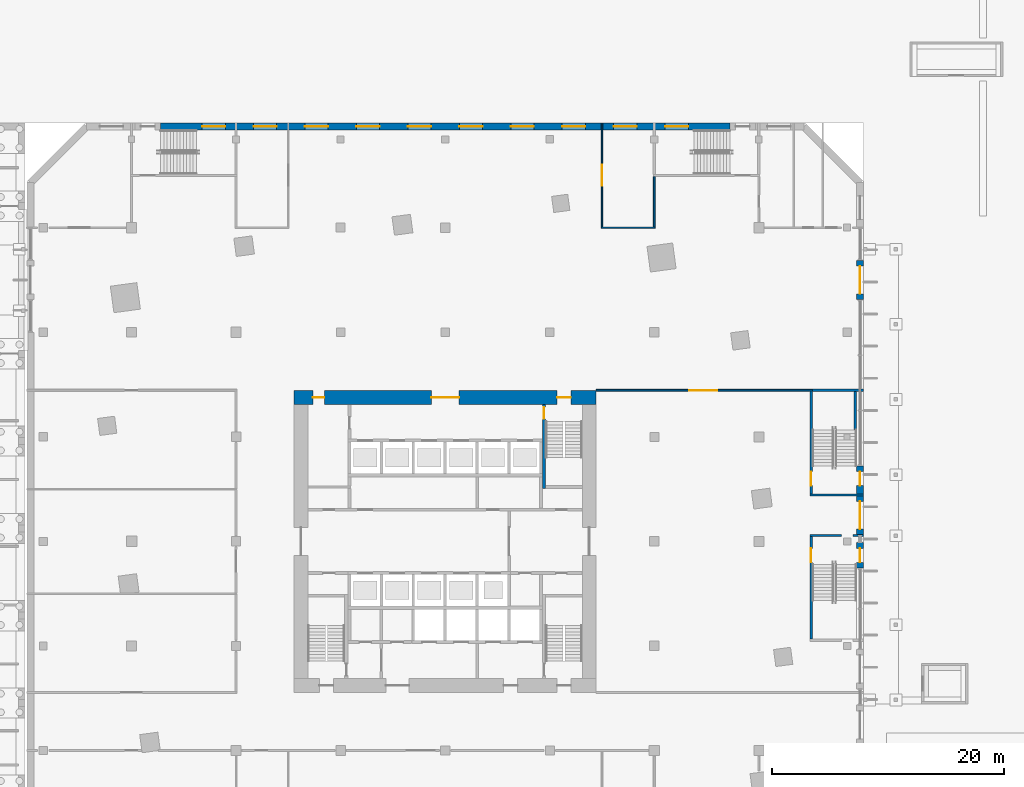
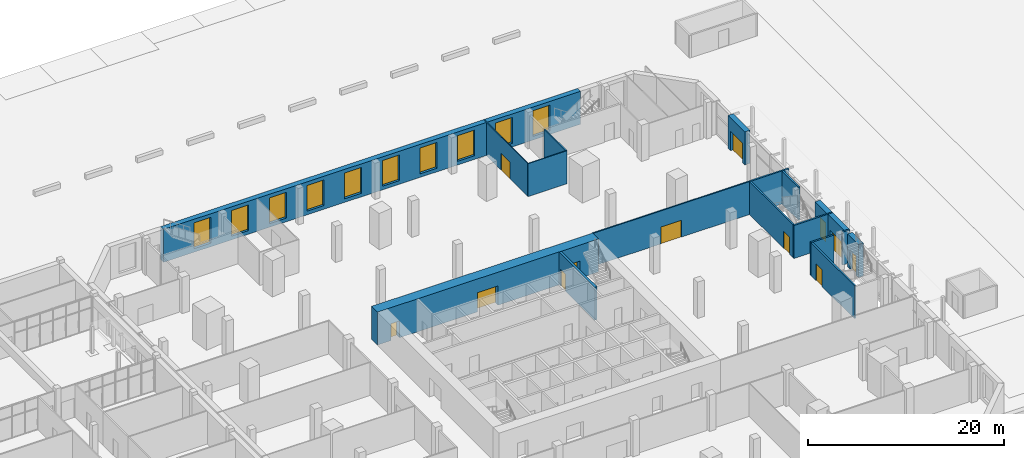
# One storey, part 32 of 42: 17 walls, 12 doors, 10 windows, 22 openings.
"""IFC4 building model written with IfcOpenShell, lengths in metres."""

from ifc_helpers import new_model, si_unit, direction, frame, frame_2d, origin, place, context, subcontext, project, spatial, rectangle, extrude, material, layer, layer_set, type_object, element, fill, save


model = new_model("IFC4")

# Units and contexts
model_context = context("Model", 3, precision=1e-05, world=origin(), true_north=direction((0.0, 1.0)))
body_context = subcontext(model_context, "Body", "Model", "MODEL_VIEW")
ifc_project = project(units=[si_unit("LENGTHUNIT", "METRE"), si_unit("AREAUNIT", "SQUARE_METRE"), si_unit("VOLUMEUNIT", "CUBIC_METRE"), si_unit("PLANEANGLEUNIT", "RADIAN"), si_unit("MASSUNIT", "GRAM", prefix="KILO")], contexts=[model_context])

# Site, building, storey
site_placement = place(None, origin())
site = spatial("IfcSite", under=ifc_project, at=site_placement, CompositionType="ELEMENT")
building_placement = place(site_placement, origin())
building = spatial("IfcBuilding", under=site, at=building_placement, Name="Dilmun Exchange Tower", CompositionType="ELEMENT")
storey_placement = place(building_placement, origin())
storey = spatial("IfcBuildingStorey", under=building, at=storey_placement, Name="L00", CompositionType="ELEMENT", Elevation=0.0)

# Wall, openings, doors
ifc_material_1 = material(Name="Concrete C80/95", Category="concrete")
ifc_layer_1 = layer(ifc_material_1, 1.199951171875)
ifc_layer_set_1 = layer_set([ifc_layer_1], Name="Concrete C80/95")
wall_type_1 = type_object("IfcWallType", Name="Core shear wall 1200 Concrete C80/95", PredefinedType="SHEAR", material=ifc_layer_set_1)
wall_1_placement = place(storey_placement, frame((-13.0, 12.39990234375, 0.0), z_axis=(0.0, 0.0, 1.0), x_axis=(1.0, 0.0, 0.0)))
wall_1 = element("IfcWall", 1, at=wall_1_placement, inside=storey, type_object=wall_type_1, Name="L00 core shear wall N", PredefinedType="SHEAR", context=body_context, shape_type="SweptSolid", body=[
    extrude(rectangle(XDim=26.0, YDim=1.199951171875, at=frame_2d((13.0, 0.0))), origin(), (0.0, 0.0, 1.0), 4.10009765625),
])
opening_1_placement = place(wall_1_placement, frame((11.800048828125, 0.0, 0.0)))
opening_1 = element("IfcOpeningElement", 2, at=opening_1_placement, cuts=wall_1, Name="Opening CD1", PredefinedType="OPENING", context=body_context, shape_type="SweptSolid", body=[
    extrude(rectangle(XDim=2.39990234375, YDim=2.39990234375, at=frame_2d((1.199951171875, 1.199951171875))), frame((0.0, 0.60986328125, 0.0), z_axis=(0.0, -1.0, 0.0), x_axis=(1.0, 0.0, 0.0)), (0.0, 0.0, 1.0), 1.219970703125),
])
opening_2_placement = place(wall_1_placement, frame((22.625, 0.0, 0.0)))
opening_2 = element("IfcOpeningElement", 3, at=opening_2_placement, cuts=wall_1, Name="Opening CD3", PredefinedType="OPENING", context=body_context, shape_type="SweptSolid", body=[
    extrude(rectangle(XDim=1.199951171875, YDim=2.10009765625, at=frame_2d((0.60009765625, 1.050048828125))), frame((0.0, 0.60986328125, 0.0), z_axis=(0.0, -1.0, 0.0), x_axis=(1.0, 0.0, 0.0)), (0.0, 0.0, 1.0), 1.219970703125),
])
opening_3_placement = place(wall_1_placement, frame((1.60009765625, 0.0, 0.0)))
opening_3 = element("IfcOpeningElement", 4, at=opening_3_placement, cuts=wall_1, Name="Opening CD4", PredefinedType="OPENING", context=body_context, shape_type="SweptSolid", body=[
    extrude(rectangle(XDim=1.0, YDim=2.10009765625, at=frame_2d((0.5, 1.050048828125))), frame((0.0, 0.60986328125, 0.0), z_axis=(0.0, -1.0, 0.0), x_axis=(1.0, 0.0, 0.0)), (0.0, 0.0, 1.0), 1.219970703125),
])
ifc_material_2 = material(Name="Fire-rated steel door set", Category="steel")
door_type_1 = type_object("IfcDoorType", Name="Core lobby door 2400x2400", OperationType="DOUBLE_DOOR_DOUBLE_SWING", PredefinedType="DOOR", material=ifc_material_2)
door_1_placement = place(opening_1_placement, origin())
door_1 = element("IfcDoor", 5, at=door_1_placement, inside=storey, type_object=door_type_1, Name="L00 door North lift lobby", OperationType="SINGLE_SWING_LEFT", OverallHeight=2.39990234375, OverallWidth=2.39990234375, PredefinedType="DOOR", context=body_context, shape_type="SweptSolid", body=[
    extrude(rectangle(XDim=2.39990234375, YDim=2.39990234375, at=frame_2d((1.199951171875, 1.199951171875))), frame((0.0, 0.02490234375, 0.0), z_axis=(0.0, -1.0, 0.0), x_axis=(1.0, 0.0, 0.0)), (0.0, 0.0, 1.0), 0.050048828125),
])
fill(opening_1, door_1)
door_type_2 = type_object("IfcDoorType", Name="Core room door 1000x2100", OperationType="SINGLE_SWING_LEFT", PredefinedType="DOOR", material=ifc_material_2)
door_2_placement = place(opening_3_placement, origin())
door_2 = element("IfcDoor", 6, at=door_2_placement, inside=storey, type_object=door_type_2, Name="L00 door North-west core rooms", OperationType="SINGLE_SWING_LEFT", OverallHeight=2.10009765625, OverallWidth=1.0, PredefinedType="DOOR", context=body_context, shape_type="SweptSolid", body=[
    extrude(rectangle(XDim=1.0, YDim=2.10009765625, at=frame_2d((0.5, 1.050048828125))), frame((0.0, 0.02490234375, 0.0), z_axis=(0.0, -1.0, 0.0), x_axis=(1.0, 0.0, 0.0)), (0.0, 0.0, 1.0), 0.050048828125),
])
fill(opening_3, door_2)
door_type_3 = type_object("IfcDoorType", Name="Stair exit door 1200x2100", OperationType="SINGLE_SWING_LEFT", PredefinedType="DOOR", material=ifc_material_2)
door_3_placement = place(opening_2_placement, origin())
door_3 = element("IfcDoor", 7, at=door_3_placement, inside=storey, type_object=door_type_3, Name="L00 door Stair ST1", OperationType="SINGLE_SWING_LEFT", OverallHeight=2.10009765625, OverallWidth=1.199951171875, PredefinedType="DOOR", context=body_context, shape_type="SweptSolid", body=[
    extrude(rectangle(XDim=1.199951171875, YDim=2.10009765625, at=frame_2d((0.60009765625, 1.050048828125))), frame((0.0, 0.02490234375, 0.0), z_axis=(0.0, -1.0, 0.0), x_axis=(1.0, 0.0, 0.0)), (0.0, 0.0, 1.0), 0.050048828125),
])
fill(opening_2, door_3)

# Wall, opening, door
ifc_material_3 = material(Name="Fire partition EI 60 150 gypsum")
ifc_layer_2 = layer(ifc_material_3, 0.14990234375)
ifc_layer_set_2 = layer_set([ifc_layer_2], Name="Fire partition EI 60 150 gypsum")
wall_type_2 = type_object("IfcWallType", Name="Fire partition EI 60 150 gypsum", PredefinedType="PARTITIONING", material=ifc_layer_set_2)
wall_2_placement = place(storey_placement, frame((13.0, 13.0, 0.0), z_axis=(0.0, 0.0, 1.0), x_axis=(1.0, 0.0, 0.0)))
wall_2 = element("IfcWall", 8, at=wall_2_placement, inside=storey, type_object=wall_type_2, Name="L00 partition", PredefinedType="PARTITIONING", context=body_context, shape_type="SweptSolid", body=[
    extrude(rectangle(XDim=18.60009765625, YDim=0.14990234375, at=frame_2d((9.300048828125, 0.0))), origin(), (0.0, 0.0, 1.0), 4.10009765625),
])
opening_4_placement = place(wall_2_placement, frame((8.0, 0.0, 0.0)))
opening_4 = element("IfcOpeningElement", 9, at=opening_4_placement, cuts=wall_2, Name="Opening L00-D014", PredefinedType="OPENING", context=body_context, shape_type="SweptSolid", body=[
    extrude(rectangle(XDim=2.39990234375, YDim=2.10009765625, at=frame_2d((1.199951171875, 1.050048828125))), frame((0.0, 0.0849609375, 0.0), z_axis=(0.0, -1.0, 0.0), x_axis=(1.0, 0.0, 0.0)), (0.0, 0.0, 1.0), 0.169921875),
])
ifc_material_4 = material(Name="Double door 2400 x 2100")
door_type_4 = type_object("IfcDoorType", Name="Double door 2400 x 2100", OperationType="DOUBLE_DOOR_SINGLE_SWING", PredefinedType="DOOR", material=ifc_material_4)
door_4_placement = place(opening_4_placement, origin())
door_4 = element("IfcDoor", 10, at=door_4_placement, inside=storey, type_object=door_type_4, Name="L00 door L00-D014", OperationType="DOUBLE_DOOR_SINGLE_SWING", OverallHeight=2.10009765625, OverallWidth=2.39990234375, PredefinedType="DOOR", context=body_context, shape_type="SweptSolid", body=[
    extrude(rectangle(XDim=2.39990234375, YDim=2.10009765625, at=frame_2d((1.199951171875, 1.050048828125))), frame((0.0, 0.02490234375, 0.0), z_axis=(0.0, -1.0, 0.0), x_axis=(1.0, 0.0, 0.0)), (0.0, 0.0, 1.0), 0.050048828125),
])
fill(opening_4, door_4)

# Walls
wall_3_placement = place(storey_placement, frame((18.0, 27.050048828125, 0.0), z_axis=(0.0, 0.0, 1.0), x_axis=(0.0, 1.0, 0.0)))
element("IfcWall", 11, at=wall_3_placement, inside=storey, type_object=wall_type_2, Name="L00 partition", PredefinedType="PARTITIONING", context=body_context, shape_type="SweptSolid", body=[
    extrude(rectangle(XDim=4.349853515625, YDim=0.14990234375, at=frame_2d((2.1748046875, 0.0))), origin(), (0.0, 0.0, 1.0), 4.10009765625),
])
ifc_material_5 = material(Name="Fire wall EI 120 200 blockwork", Category="masonry")
ifc_layer_3 = layer(ifc_material_5, 0.199951171875)
ifc_layer_set_3 = layer_set([ifc_layer_3], Name="Fire wall EI 120 200 blockwork")
wall_type_3 = type_object("IfcWallType", Name="Fire wall EI 120 200 blockwork", PredefinedType="PARTITIONING", material=ifc_layer_set_3)
wall_4_placement = place(storey_placement, frame((31.39990234375, 0.5, 0.0), z_axis=(0.0, 0.0, 1.0), x_axis=(1.0, 0.0, 0.0)))
element("IfcWall", 12, at=wall_4_placement, inside=storey, type_object=wall_type_3, Name="L00 stair wall", PredefinedType="PARTITIONING", context=body_context, shape_type="SweptSolid", body=[
    extrude(rectangle(XDim=2.7001953125, YDim=0.199951171875, at=frame_2d((1.35009765625, 0.0))), origin(), (0.0, 0.0, 1.0), 4.10009765625),
])
wall_5_placement = place(storey_placement, frame((35.10009765625, 0.5, 0.0), z_axis=(0.0, 0.0, 1.0), x_axis=(1.0, 0.0, 0.0)))
element("IfcWall", 13, at=wall_5_placement, inside=storey, type_object=wall_type_3, Name="L00 stair wall", PredefinedType="PARTITIONING", context=body_context, shape_type="SweptSolid", body=[
    extrude(rectangle(XDim=0.89990234375, YDim=0.199951171875, at=frame_2d((0.449951171875, 0.0))), origin(), (0.0, 0.0, 1.0), 4.10009765625),
])
wall_6_placement = place(storey_placement, frame((31.39990234375, 4.0, 0.0), z_axis=(0.0, 0.0, 1.0), x_axis=(1.0, 0.0, 0.0)))
element("IfcWall", 14, at=wall_6_placement, inside=storey, type_object=wall_type_3, Name="L00 stair wall", PredefinedType="PARTITIONING", context=body_context, shape_type="SweptSolid", body=[
    extrude(rectangle(XDim=4.60009765625, YDim=0.199951171875, at=frame_2d((2.300048828125, 0.0))), origin(), (0.0, 0.0, 1.0), 4.10009765625),
])
wall_7_placement = place(storey_placement, frame((31.60009765625, 13.0, 0.0), z_axis=(0.0, 0.0, 1.0), x_axis=(1.0, 0.0, 0.0)))
element("IfcWall", 15, at=wall_7_placement, inside=storey, type_object=wall_type_3, Name="L00 stair wall", PredefinedType="PARTITIONING", context=body_context, shape_type="SweptSolid", body=[
    extrude(rectangle(XDim=4.39990234375, YDim=0.199951171875, at=frame_2d((2.199951171875, 0.0))), origin(), (0.0, 0.0, 1.0), 4.10009765625),
])

# Wall, opening, door
wall_8_placement = place(storey_placement, frame((31.5, -8.39990234375, 0.0), z_axis=(0.0, 0.0, 1.0), x_axis=(0.0, 1.0, 0.0)))
wall_8 = element("IfcWall", 16, at=wall_8_placement, inside=storey, type_object=wall_type_3, Name="L00 stair wall", PredefinedType="PARTITIONING", context=body_context, shape_type="SweptSolid", body=[
    extrude(rectangle(XDim=8.7998046875, YDim=0.199951171875, at=frame_2d((4.39990234375, 0.0))), origin(), (0.0, 0.0, 1.0), 4.10009765625),
])
opening_5_placement = place(wall_8_placement, frame((6.60009765625, 0.0, 0.0)))
opening_5 = element("IfcOpeningElement", 17, at=opening_5_placement, cuts=wall_8, Name="Opening L00-D003", PredefinedType="OPENING", context=body_context, shape_type="SweptSolid", body=[
    extrude(rectangle(XDim=1.199951171875, YDim=2.10009765625, at=frame_2d((0.60009765625, 1.050048828125))), frame((0.0, 0.10986328125, 0.0), z_axis=(0.0, -1.0, 0.0), x_axis=(1.0, 0.0, 0.0)), (0.0, 0.0, 1.0), 0.219970703125),
])
ifc_material_6 = material(Name="Stair door FD90 1200 x 2100")
door_type_5 = type_object("IfcDoorType", Name="Stair door FD90 1200 x 2100", OperationType="SINGLE_SWING_LEFT", PredefinedType="DOOR", material=ifc_material_6)
door_5_placement = place(opening_5_placement, origin())
door_5 = element("IfcDoor", 18, at=door_5_placement, inside=storey, type_object=door_type_5, Name="L00 door L00-D003", OperationType="SINGLE_SWING_LEFT", OverallHeight=2.10009765625, OverallWidth=1.199951171875, PredefinedType="DOOR", context=body_context, shape_type="SweptSolid", body=[
    extrude(rectangle(XDim=1.199951171875, YDim=2.10009765625, at=frame_2d((0.60009765625, 1.050048828125))), frame((0.0, 0.02490234375, 0.0), z_axis=(0.0, -1.0, 0.0), x_axis=(1.0, 0.0, 0.0)), (0.0, 0.0, 1.0), 0.050048828125),
])
fill(opening_5, door_5)

wall_9_placement = place(storey_placement, frame((31.5, 4.10009765625, 0.0), z_axis=(0.0, 0.0, 1.0), x_axis=(0.0, 1.0, 0.0)))
wall_9 = element("IfcWall", 19, at=wall_9_placement, inside=storey, type_object=wall_type_3, Name="L00 stair wall", PredefinedType="PARTITIONING", context=body_context, shape_type="SweptSolid", body=[
    extrude(rectangle(XDim=8.824951171875, YDim=0.199951171875, at=frame_2d((4.41259765625, 0.0))), origin(), (0.0, 0.0, 1.0), 4.10009765625),
])
opening_6_placement = place(wall_9_placement, frame((0.699951171875, 0.0, 0.0)))
opening_6 = element("IfcOpeningElement", 20, at=opening_6_placement, cuts=wall_9, Name="Opening L00-D004", PredefinedType="OPENING", context=body_context, shape_type="SweptSolid", body=[
    extrude(rectangle(XDim=1.199951171875, YDim=2.10009765625, at=frame_2d((0.60009765625, 1.050048828125))), frame((0.0, 0.10986328125, 0.0), z_axis=(0.0, -1.0, 0.0), x_axis=(1.0, 0.0, 0.0)), (0.0, 0.0, 1.0), 0.219970703125),
])
door_6_placement = place(opening_6_placement, origin())
door_6 = element("IfcDoor", 21, at=door_6_placement, inside=storey, type_object=door_type_5, Name="L00 door L00-D004", OperationType="SINGLE_SWING_RIGHT", OverallHeight=2.10009765625, OverallWidth=1.199951171875, PredefinedType="DOOR", context=body_context, shape_type="SweptSolid", body=[
    extrude(rectangle(XDim=1.199951171875, YDim=2.10009765625, at=frame_2d((0.60009765625, 1.050048828125))), frame((0.0, 0.02490234375, 0.0), z_axis=(0.0, -1.0, 0.0), x_axis=(1.0, 0.0, 0.0)), (0.0, 0.0, 1.0), 0.050048828125),
])
fill(opening_6, door_6)

# Walls
wall_10_placement = place(storey_placement, frame((35.298095703125, 9.58056640625, 0.0), z_axis=(0.0, 0.0, 1.0), x_axis=(0.0, 1.0, 0.0)))
element("IfcWall", 22, at=wall_10_placement, inside=storey, type_object=wall_type_3, Name="L00 stair landing wall", PredefinedType="PARTITIONING", context=body_context, shape_type="SweptSolid", body=[
    extrude(rectangle(XDim=3.309326171875, YDim=0.199951171875, at=frame_2d((1.65478515625, 0.0))), origin(), (0.0, 0.0, 1.0), 4.10009765625),
])
ifc_material_7 = material(Name="Partition 100 gypsum")
ifc_layer_4 = layer(ifc_material_7, 0.10009765625)
ifc_layer_set_4 = layer_set([ifc_layer_4], Name="Partition 100 gypsum")
wall_type_4 = type_object("IfcWallType", Name="Partition 100 gypsum", PredefinedType="PARTITIONING", material=ifc_layer_set_4)
wall_11_placement = place(storey_placement, frame((13.449951171875, 27.0, 0.0), z_axis=(0.0, 0.0, 1.0), x_axis=(1.0, 0.0, 0.0)))
element("IfcWall", 23, at=wall_11_placement, inside=storey, type_object=wall_type_4, Name="L00 partition", PredefinedType="PARTITIONING", context=body_context, shape_type="SweptSolid", body=[
    extrude(rectangle(XDim=4.625, YDim=0.10009765625, at=frame_2d((2.3125, 0.0))), origin(), (0.0, 0.0, 1.0), 4.10009765625),
])

# Wall, opening, door
wall_12_placement = place(storey_placement, frame((13.5, 27.050048828125, 0.0), z_axis=(0.0, 0.0, 1.0), x_axis=(0.0, 1.0, 0.0)))
wall_12 = element("IfcWall", 24, at=wall_12_placement, inside=storey, type_object=wall_type_4, Name="L00 partition", PredefinedType="PARTITIONING", context=body_context, shape_type="SweptSolid", body=[
    extrude(rectangle(XDim=8.949951171875, YDim=0.10009765625, at=frame_2d((4.47509765625, 0.0))), origin(), (0.0, 0.0, 1.0), 4.10009765625),
])
opening_7_placement = place(wall_12_placement, frame((3.550048828125, 0.0, 0.0)))
opening_7 = element("IfcOpeningElement", 25, at=opening_7_placement, cuts=wall_12, Name="Opening L00-D010", PredefinedType="OPENING", context=body_context, shape_type="SweptSolid", body=[
    extrude(rectangle(XDim=1.800048828125, YDim=2.10009765625, at=frame_2d((0.89990234375, 1.050048828125))), frame((0.0, 0.06005859375, 0.0), z_axis=(0.0, -1.0, 0.0), x_axis=(1.0, 0.0, 0.0)), (0.0, 0.0, 1.0), 0.1201171875),
])
ifc_material_8 = material(Name="Double door 1800 x 2100")
door_type_6 = type_object("IfcDoorType", Name="Double door 1800 x 2100", OperationType="DOUBLE_DOOR_SINGLE_SWING", PredefinedType="DOOR", material=ifc_material_8)
door_7_placement = place(opening_7_placement, origin())
door_7 = element("IfcDoor", 26, at=door_7_placement, inside=storey, type_object=door_type_6, Name="L00 door L00-D010", OperationType="DOUBLE_DOOR_SINGLE_SWING", OverallHeight=2.10009765625, OverallWidth=1.800048828125, PredefinedType="DOOR", context=body_context, shape_type="SweptSolid", body=[
    extrude(rectangle(XDim=1.800048828125, YDim=2.10009765625, at=frame_2d((0.89990234375, 1.050048828125))), frame((0.0, 0.02490234375, 0.0), z_axis=(0.0, -1.0, 0.0), x_axis=(1.0, 0.0, 0.0)), (0.0, 0.0, 1.0), 0.050048828125),
])
fill(opening_7, door_7)

ifc_material_9 = material(Name="Precast concrete C50/60", Category="concrete")
ifc_layer_5 = layer(ifc_material_9, 0.60009765625)
ifc_layer_set_5 = layer_set([ifc_layer_5], Name="Precast concrete C50/60")
wall_type_5 = type_object("IfcWallType", Name="Precast stone-clad wall 600", PredefinedType="STANDARD", material=ifc_layer_set_5)
wall_13_placement = place(storey_placement, frame((35.699951171875, -0.10009765625, 0.0), z_axis=(0.0, 0.0, 1.0), x_axis=(0.0, -1.0, 0.0)))
wall_13 = element("IfcWall", 27, at=wall_13_placement, inside=storey, type_object=wall_type_5, Name="Facade wall L00-02-7", PredefinedType="STANDARD", context=body_context, shape_type="SweptSolid", body=[
    extrude(rectangle(XDim=2.199951171875, YDim=0.60009765625, at=frame_2d((1.10009765625, 0.0))), origin(), (0.0, 0.0, 1.0), 4.10009765625),
])
opening_8_placement = place(wall_13_placement, frame((0.5, 0.0, 0.0)))
opening_8 = element("IfcOpeningElement", 28, at=opening_8_placement, cuts=wall_13, Name="Opening XD1", PredefinedType="OPENING", context=body_context, shape_type="SweptSolid", body=[
    extrude(rectangle(XDim=1.199951171875, YDim=2.39990234375, at=frame_2d((0.60009765625, 1.199951171875))), frame((0.0, 0.31005859375, 0.0), z_axis=(0.0, -1.0, 0.0), x_axis=(1.0, 0.0, 0.0)), (0.0, 0.0, 1.0), 0.6201171875),
])
ifc_material_10 = material(Name="Clear low-emissivity glass in aluminium frame", Category="aluminium")
door_type_7 = type_object("IfcDoorType", Name="Glazed exit door 1200 x 2400", OperationType="SINGLE_SWING_LEFT", PredefinedType="DOOR", material=ifc_material_10)
door_8_placement = place(opening_8_placement, origin())
door_8 = element("IfcDoor", 29, at=door_8_placement, inside=storey, type_object=door_type_7, Name="Door X-PS3 stair discharge", OperationType="SINGLE_SWING_LEFT", OverallHeight=2.39990234375, OverallWidth=1.199951171875, PredefinedType="DOOR", context=body_context, shape_type="SweptSolid", body=[
    extrude(rectangle(XDim=1.199951171875, YDim=2.39990234375, at=frame_2d((0.60009765625, 1.199951171875))), frame((0.0, 0.02490234375, 0.0), z_axis=(0.0, -1.0, 0.0), x_axis=(1.0, 0.0, 0.0)), (0.0, 0.0, 1.0), 0.050048828125),
])
fill(opening_8, door_8)

# Wall, openings, doors
wall_14_placement = place(storey_placement, frame((35.699951171875, 6.5, 0.0), z_axis=(0.0, 0.0, 1.0), x_axis=(0.0, -1.0, 0.0)))
wall_14 = element("IfcWall", 30, at=wall_14_placement, inside=storey, type_object=wall_type_5, Name="Facade wall L00-02-9", PredefinedType="STANDARD", context=body_context, shape_type="SweptSolid", body=[
    extrude(rectangle(XDim=5.949951171875, YDim=0.60009765625, at=frame_2d((2.97509765625, 0.0))), origin(), (0.0, 0.0, 1.0), 4.10009765625),
])
opening_9_placement = place(wall_14_placement, frame((3.050048828125, 0.0, 0.0)))
opening_9 = element("IfcOpeningElement", 31, at=opening_9_placement, cuts=wall_14, Name="Opening ED1", PredefinedType="OPENING", context=body_context, shape_type="SweptSolid", body=[
    extrude(rectangle(XDim=2.39990234375, YDim=2.39990234375, at=frame_2d((1.199951171875, 1.199951171875))), frame((0.0, 0.31005859375, 0.0), z_axis=(0.0, -1.0, 0.0), x_axis=(1.0, 0.0, 0.0)), (0.0, 0.0, 1.0), 0.6201171875),
])
opening_10_placement = place(wall_14_placement, frame((0.5, 0.0, 0.0)))
opening_10 = element("IfcOpeningElement", 32, at=opening_10_placement, cuts=wall_14, Name="Opening XD1", PredefinedType="OPENING", context=body_context, shape_type="SweptSolid", body=[
    extrude(rectangle(XDim=1.199951171875, YDim=2.39990234375, at=frame_2d((0.60009765625, 1.199951171875))), frame((0.0, 0.31005859375, 0.0), z_axis=(0.0, -1.0, 0.0), x_axis=(1.0, 0.0, 0.0)), (0.0, 0.0, 1.0), 0.6201171875),
])
door_type_8 = type_object("IfcDoorType", Name="Glazed entrance door pair 2400 x 2400", OperationType="DOUBLE_DOOR_SINGLE_SWING", PredefinedType="DOOR", material=ifc_material_10)
door_9_placement = place(opening_9_placement, origin())
door_9 = element("IfcDoor", 33, at=door_9_placement, inside=storey, type_object=door_type_8, Name="Door X-EL-1 entrance", OperationType="DOUBLE_DOOR_SINGLE_SWING", OverallHeight=2.39990234375, OverallWidth=2.39990234375, PredefinedType="DOOR", context=body_context, shape_type="SweptSolid", body=[
    extrude(rectangle(XDim=2.39990234375, YDim=2.39990234375, at=frame_2d((1.199951171875, 1.199951171875))), frame((0.0, 0.02490234375, 0.0), z_axis=(0.0, -1.0, 0.0), x_axis=(1.0, 0.0, 0.0)), (0.0, 0.0, 1.0), 0.050048828125),
])
fill(opening_9, door_9)
door_10_placement = place(opening_10_placement, origin())
door_10 = element("IfcDoor", 34, at=door_10_placement, inside=storey, type_object=door_type_7, Name="Door X-PS4 stair discharge", OperationType="SINGLE_SWING_LEFT", OverallHeight=2.39990234375, OverallWidth=1.199951171875, PredefinedType="DOOR", context=body_context, shape_type="SweptSolid", body=[
    extrude(rectangle(XDim=1.199951171875, YDim=2.39990234375, at=frame_2d((0.60009765625, 1.199951171875))), frame((0.0, 0.02490234375, 0.0), z_axis=(0.0, -1.0, 0.0), x_axis=(1.0, 0.0, 0.0)), (0.0, 0.0, 1.0), 0.050048828125),
])
fill(opening_10, door_10)

# Wall, opening, door
wall_15_placement = place(storey_placement, frame((35.699951171875, 24.199951171875, 0.0), z_axis=(0.0, 0.0, 1.0), x_axis=(0.0, -1.0, 0.0)))
wall_15 = element("IfcWall", 35, at=wall_15_placement, inside=storey, type_object=wall_type_5, Name="Facade wall L00-02-11", PredefinedType="STANDARD", context=body_context, shape_type="SweptSolid", body=[
    extrude(rectangle(XDim=3.39990234375, YDim=0.60009765625, at=frame_2d((1.699951171875, 0.0))), origin(), (0.0, 0.0, 1.0), 4.10009765625),
])
opening_11_placement = place(wall_15_placement, frame((0.5, 0.0, 0.0)))
opening_11 = element("IfcOpeningElement", 36, at=opening_11_placement, cuts=wall_15, Name="Opening ED1", PredefinedType="OPENING", context=body_context, shape_type="SweptSolid", body=[
    extrude(rectangle(XDim=2.39990234375, YDim=2.39990234375, at=frame_2d((1.199951171875, 1.199951171875))), frame((0.0, 0.31005859375, 0.0), z_axis=(0.0, -1.0, 0.0), x_axis=(1.0, 0.0, 0.0)), (0.0, 0.0, 1.0), 0.6201171875),
])
door_11_placement = place(opening_11_placement, origin())
door_11 = element("IfcDoor", 37, at=door_11_placement, inside=storey, type_object=door_type_8, Name="Door X-CON-E entrance", OperationType="DOUBLE_DOOR_SINGLE_SWING", OverallHeight=2.39990234375, OverallWidth=2.39990234375, PredefinedType="DOOR", context=body_context, shape_type="SweptSolid", body=[
    extrude(rectangle(XDim=2.39990234375, YDim=2.39990234375, at=frame_2d((1.199951171875, 1.199951171875))), frame((0.0, 0.02490234375, 0.0), z_axis=(0.0, -1.0, 0.0), x_axis=(1.0, 0.0, 0.0)), (0.0, 0.0, 1.0), 0.050048828125),
])
fill(opening_11, door_11)

# Wall, openings, windows
wall_16_placement = place(storey_placement, frame((24.5, 35.699951171875, 0.0), z_axis=(0.0, 0.0, 1.0), x_axis=(-1.0, 0.0, 0.0)))
wall_16 = element("IfcWall", 38, at=wall_16_placement, inside=storey, type_object=wall_type_5, Name="Facade wall L00-04-2", PredefinedType="STANDARD", context=body_context, shape_type="SweptSolid", body=[
    extrude(rectangle(XDim=49.0, YDim=0.60009765625, at=frame_2d((24.5, 0.0))), origin(), (0.0, 0.0, 1.0), 4.10009765625),
])
opening_12_placement = place(wall_16_placement, frame((3.5712890625, 0.0, 0.449951171875)))
opening_12 = element("IfcOpeningElement", 39, at=opening_12_placement, cuts=wall_16, Name="Opening SF200-320", PredefinedType="OPENING", context=body_context, shape_type="SweptSolid", body=[
    extrude(rectangle(XDim=2.0, YDim=3.199951171875, at=frame_2d((1.0, 1.60009765625))), frame((0.0, 0.31005859375, 0.0), z_axis=(0.0, -1.0, 0.0), x_axis=(1.0, 0.0, 0.0)), (0.0, 0.0, 1.0), 0.6201171875),
])
opening_13_placement = place(wall_16_placement, frame((8.0, 0.0, 0.449951171875)))
opening_13 = element("IfcOpeningElement", 40, at=opening_13_placement, cuts=wall_16, Name="Opening SF200-320", PredefinedType="OPENING", context=body_context, shape_type="SweptSolid", body=[
    extrude(rectangle(XDim=2.0, YDim=3.199951171875, at=frame_2d((1.0, 1.60009765625))), frame((0.0, 0.31005859375, 0.0), z_axis=(0.0, -1.0, 0.0), x_axis=(1.0, 0.0, 0.0)), (0.0, 0.0, 1.0), 0.6201171875),
])
opening_14_placement = place(wall_16_placement, frame((12.4287109375, 0.0, 0.449951171875)))
opening_14 = element("IfcOpeningElement", 41, at=opening_14_placement, cuts=wall_16, Name="Opening SF200-320", PredefinedType="OPENING", context=body_context, shape_type="SweptSolid", body=[
    extrude(rectangle(XDim=2.0, YDim=3.199951171875, at=frame_2d((1.0, 1.60009765625))), frame((0.0, 0.31005859375, 0.0), z_axis=(0.0, -1.0, 0.0), x_axis=(1.0, 0.0, 0.0)), (0.0, 0.0, 1.0), 0.6201171875),
])
opening_15_placement = place(wall_16_placement, frame((16.857177734375, 0.0, 0.449951171875)))
opening_15 = element("IfcOpeningElement", 42, at=opening_15_placement, cuts=wall_16, Name="Opening SF200-320", PredefinedType="OPENING", context=body_context, shape_type="SweptSolid", body=[
    extrude(rectangle(XDim=2.0, YDim=3.199951171875, at=frame_2d((1.0, 1.60009765625))), frame((0.0, 0.31005859375, 0.0), z_axis=(0.0, -1.0, 0.0), x_axis=(1.0, 0.0, 0.0)), (0.0, 0.0, 1.0), 0.6201171875),
])
opening_16_placement = place(wall_16_placement, frame((21.28564453125, 0.0, 0.449951171875)))
opening_16 = element("IfcOpeningElement", 43, at=opening_16_placement, cuts=wall_16, Name="Opening SF200-320", PredefinedType="OPENING", context=body_context, shape_type="SweptSolid", body=[
    extrude(rectangle(XDim=2.0, YDim=3.199951171875, at=frame_2d((1.0, 1.60009765625))), frame((0.0, 0.31005859375, 0.0), z_axis=(0.0, -1.0, 0.0), x_axis=(1.0, 0.0, 0.0)), (0.0, 0.0, 1.0), 0.6201171875),
])
opening_17_placement = place(wall_16_placement, frame((25.71435546875, 0.0, 0.449951171875)))
opening_17 = element("IfcOpeningElement", 44, at=opening_17_placement, cuts=wall_16, Name="Opening SF200-320", PredefinedType="OPENING", context=body_context, shape_type="SweptSolid", body=[
    extrude(rectangle(XDim=2.0, YDim=3.199951171875, at=frame_2d((1.0, 1.60009765625))), frame((0.0, 0.31005859375, 0.0), z_axis=(0.0, -1.0, 0.0), x_axis=(1.0, 0.0, 0.0)), (0.0, 0.0, 1.0), 0.6201171875),
])
opening_18_placement = place(wall_16_placement, frame((30.142822265625, 0.0, 0.449951171875)))
opening_18 = element("IfcOpeningElement", 45, at=opening_18_placement, cuts=wall_16, Name="Opening SF200-320", PredefinedType="OPENING", context=body_context, shape_type="SweptSolid", body=[
    extrude(rectangle(XDim=2.0, YDim=3.199951171875, at=frame_2d((1.0, 1.60009765625))), frame((0.0, 0.31005859375, 0.0), z_axis=(0.0, -1.0, 0.0), x_axis=(1.0, 0.0, 0.0)), (0.0, 0.0, 1.0), 0.6201171875),
])
opening_19_placement = place(wall_16_placement, frame((34.5712890625, 0.0, 0.449951171875)))
opening_19 = element("IfcOpeningElement", 46, at=opening_19_placement, cuts=wall_16, Name="Opening SF200-320", PredefinedType="OPENING", context=body_context, shape_type="SweptSolid", body=[
    extrude(rectangle(XDim=2.0, YDim=3.199951171875, at=frame_2d((1.0, 1.60009765625))), frame((0.0, 0.31005859375, 0.0), z_axis=(0.0, -1.0, 0.0), x_axis=(1.0, 0.0, 0.0)), (0.0, 0.0, 1.0), 0.6201171875),
])
opening_20_placement = place(wall_16_placement, frame((39.0, 0.0, 0.449951171875)))
opening_20 = element("IfcOpeningElement", 47, at=opening_20_placement, cuts=wall_16, Name="Opening SF200-320", PredefinedType="OPENING", context=body_context, shape_type="SweptSolid", body=[
    extrude(rectangle(XDim=2.0, YDim=3.199951171875, at=frame_2d((1.0, 1.60009765625))), frame((0.0, 0.31005859375, 0.0), z_axis=(0.0, -1.0, 0.0), x_axis=(1.0, 0.0, 0.0)), (0.0, 0.0, 1.0), 0.6201171875),
])
opening_21_placement = place(wall_16_placement, frame((43.4287109375, 0.0, 0.449951171875)))
opening_21 = element("IfcOpeningElement", 48, at=opening_21_placement, cuts=wall_16, Name="Opening SF200-320", PredefinedType="OPENING", context=body_context, shape_type="SweptSolid", body=[
    extrude(rectangle(XDim=2.0, YDim=3.199951171875, at=frame_2d((1.0, 1.60009765625))), frame((0.0, 0.31005859375, 0.0), z_axis=(0.0, -1.0, 0.0), x_axis=(1.0, 0.0, 0.0)), (0.0, 0.0, 1.0), 0.6201171875),
])
window_type = type_object("IfcWindowType", Name="Shopfront window 2000 x 3200", PartitioningType="DOUBLE_PANEL_VERTICAL", PredefinedType="WINDOW", material=ifc_material_10)
window_1_placement = place(opening_12_placement, origin())
window_1 = element("IfcWindow", 49, at=window_1_placement, inside=storey, type_object=window_type, Name="Window 5.3", OverallHeight=3.199951171875, OverallWidth=2.0, PartitioningType="SINGLE_PANEL", PredefinedType="WINDOW", context=body_context, shape_type="SweptSolid", body=[
    extrude(rectangle(XDim=2.0, YDim=3.199951171875, at=frame_2d((1.0, 1.60009765625))), frame((0.0, 0.030029296875, 0.0), z_axis=(0.0, -1.0, 0.0), x_axis=(1.0, 0.0, 0.0)), (0.0, 0.0, 1.0), 0.06005859375),
])
fill(opening_12, window_1)
window_2_placement = place(opening_13_placement, origin())
window_2 = element("IfcWindow", 50, at=window_2_placement, inside=storey, type_object=window_type, Name="Window 5.4", OverallHeight=3.199951171875, OverallWidth=2.0, PartitioningType="SINGLE_PANEL", PredefinedType="WINDOW", context=body_context, shape_type="SweptSolid", body=[
    extrude(rectangle(XDim=2.0, YDim=3.199951171875, at=frame_2d((1.0, 1.60009765625))), frame((0.0, 0.030029296875, 0.0), z_axis=(0.0, -1.0, 0.0), x_axis=(1.0, 0.0, 0.0)), (0.0, 0.0, 1.0), 0.06005859375),
])
fill(opening_13, window_2)
window_3_placement = place(opening_14_placement, origin())
window_3 = element("IfcWindow", 51, at=window_3_placement, inside=storey, type_object=window_type, Name="Window 5.5", OverallHeight=3.199951171875, OverallWidth=2.0, PartitioningType="SINGLE_PANEL", PredefinedType="WINDOW", context=body_context, shape_type="SweptSolid", body=[
    extrude(rectangle(XDim=2.0, YDim=3.199951171875, at=frame_2d((1.0, 1.60009765625))), frame((0.0, 0.030029296875, 0.0), z_axis=(0.0, -1.0, 0.0), x_axis=(1.0, 0.0, 0.0)), (0.0, 0.0, 1.0), 0.06005859375),
])
fill(opening_14, window_3)
window_4_placement = place(opening_15_placement, origin())
window_4 = element("IfcWindow", 52, at=window_4_placement, inside=storey, type_object=window_type, Name="Window 5.6", OverallHeight=3.199951171875, OverallWidth=2.0, PartitioningType="SINGLE_PANEL", PredefinedType="WINDOW", context=body_context, shape_type="SweptSolid", body=[
    extrude(rectangle(XDim=2.0, YDim=3.199951171875, at=frame_2d((1.0, 1.60009765625))), frame((0.0, 0.030029296875, 0.0), z_axis=(0.0, -1.0, 0.0), x_axis=(1.0, 0.0, 0.0)), (0.0, 0.0, 1.0), 0.06005859375),
])
fill(opening_15, window_4)
window_5_placement = place(opening_16_placement, origin())
window_5 = element("IfcWindow", 53, at=window_5_placement, inside=storey, type_object=window_type, Name="Window 5.7", OverallHeight=3.199951171875, OverallWidth=2.0, PartitioningType="SINGLE_PANEL", PredefinedType="WINDOW", context=body_context, shape_type="SweptSolid", body=[
    extrude(rectangle(XDim=2.0, YDim=3.199951171875, at=frame_2d((1.0, 1.60009765625))), frame((0.0, 0.030029296875, 0.0), z_axis=(0.0, -1.0, 0.0), x_axis=(1.0, 0.0, 0.0)), (0.0, 0.0, 1.0), 0.06005859375),
])
fill(opening_16, window_5)
window_6_placement = place(opening_17_placement, origin())
window_6 = element("IfcWindow", 54, at=window_6_placement, inside=storey, type_object=window_type, Name="Window 5.8", OverallHeight=3.199951171875, OverallWidth=2.0, PartitioningType="SINGLE_PANEL", PredefinedType="WINDOW", context=body_context, shape_type="SweptSolid", body=[
    extrude(rectangle(XDim=2.0, YDim=3.199951171875, at=frame_2d((1.0, 1.60009765625))), frame((0.0, 0.030029296875, 0.0), z_axis=(0.0, -1.0, 0.0), x_axis=(1.0, 0.0, 0.0)), (0.0, 0.0, 1.0), 0.06005859375),
])
fill(opening_17, window_6)
window_7_placement = place(opening_18_placement, origin())
window_7 = element("IfcWindow", 55, at=window_7_placement, inside=storey, type_object=window_type, Name="Window 5.9", OverallHeight=3.199951171875, OverallWidth=2.0, PartitioningType="SINGLE_PANEL", PredefinedType="WINDOW", context=body_context, shape_type="SweptSolid", body=[
    extrude(rectangle(XDim=2.0, YDim=3.199951171875, at=frame_2d((1.0, 1.60009765625))), frame((0.0, 0.030029296875, 0.0), z_axis=(0.0, -1.0, 0.0), x_axis=(1.0, 0.0, 0.0)), (0.0, 0.0, 1.0), 0.06005859375),
])
fill(opening_18, window_7)
window_8_placement = place(opening_19_placement, origin())
window_8 = element("IfcWindow", 56, at=window_8_placement, inside=storey, type_object=window_type, Name="Window 5.10", OverallHeight=3.199951171875, OverallWidth=2.0, PartitioningType="SINGLE_PANEL", PredefinedType="WINDOW", context=body_context, shape_type="SweptSolid", body=[
    extrude(rectangle(XDim=2.0, YDim=3.199951171875, at=frame_2d((1.0, 1.60009765625))), frame((0.0, 0.030029296875, 0.0), z_axis=(0.0, -1.0, 0.0), x_axis=(1.0, 0.0, 0.0)), (0.0, 0.0, 1.0), 0.06005859375),
])
fill(opening_19, window_8)
window_9_placement = place(opening_20_placement, origin())
window_9 = element("IfcWindow", 57, at=window_9_placement, inside=storey, type_object=window_type, Name="Window 5.11", OverallHeight=3.199951171875, OverallWidth=2.0, PartitioningType="SINGLE_PANEL", PredefinedType="WINDOW", context=body_context, shape_type="SweptSolid", body=[
    extrude(rectangle(XDim=2.0, YDim=3.199951171875, at=frame_2d((1.0, 1.60009765625))), frame((0.0, 0.030029296875, 0.0), z_axis=(0.0, -1.0, 0.0), x_axis=(1.0, 0.0, 0.0)), (0.0, 0.0, 1.0), 0.06005859375),
])
fill(opening_20, window_9)
window_10_placement = place(opening_21_placement, origin())
window_10 = element("IfcWindow", 58, at=window_10_placement, inside=storey, type_object=window_type, Name="Window 5.12", OverallHeight=3.199951171875, OverallWidth=2.0, PartitioningType="SINGLE_PANEL", PredefinedType="WINDOW", context=body_context, shape_type="SweptSolid", body=[
    extrude(rectangle(XDim=2.0, YDim=3.199951171875, at=frame_2d((1.0, 1.60009765625))), frame((0.0, 0.030029296875, 0.0), z_axis=(0.0, -1.0, 0.0), x_axis=(1.0, 0.0, 0.0)), (0.0, 0.0, 1.0), 0.06005859375),
])
fill(opening_21, window_10)

# Wall, opening, door
ifc_material_11 = material(Name="Concrete C40/50", Category="concrete")
ifc_layer_6 = layer(ifc_material_11, 0.27490234375)
ifc_layer_set_6 = layer_set([ifc_layer_6], Name="Concrete C40/50")
wall_type_6 = type_object("IfcWallType", Name="Stair wall 275", PredefinedType="SOLIDWALL", material=ifc_layer_set_6)
wall_17_placement = place(storey_placement, frame((8.512451171875, 4.550048828125, 0.0), z_axis=(0.0, 0.0, 1.0), x_axis=(0.0, 1.0, 0.0)))
wall_17 = element("IfcWall", 59, at=wall_17_placement, inside=storey, type_object=wall_type_6, Name="L00 ST1 wall to lift block", PredefinedType="SOLIDWALL", context=body_context, shape_type="SweptSolid", body=[
    extrude(rectangle(XDim=7.25, YDim=0.27490234375, at=frame_2d((3.625, 0.0))), origin(), (0.0, 0.0, 1.0), 4.10009765625),
])
opening_22_placement = place(wall_17_placement, frame((6.0, 0.0, 0.0)))
opening_22 = element("IfcOpeningElement", 60, at=opening_22_placement, cuts=wall_17, Name="Opening CD4", PredefinedType="OPENING", context=body_context, shape_type="SweptSolid", body=[
    extrude(rectangle(XDim=1.0, YDim=2.10009765625, at=frame_2d((0.5, 1.050048828125))), frame((0.0, 0.1474609375, 0.0), z_axis=(0.0, -1.0, 0.0), x_axis=(1.0, 0.0, 0.0)), (0.0, 0.0, 1.0), 0.294921875),
])
door_12_placement = place(opening_22_placement, origin())
door_12 = element("IfcDoor", 61, at=door_12_placement, inside=storey, type_object=door_type_2, Name="L00 door ST1 from lobby", OperationType="SINGLE_SWING_LEFT", OverallHeight=2.10009765625, OverallWidth=1.0, PredefinedType="DOOR", context=body_context, shape_type="SweptSolid", body=[
    extrude(rectangle(XDim=1.0, YDim=2.10009765625, at=frame_2d((0.5, 1.050048828125))), frame((0.0, 0.02490234375, 0.0), z_axis=(0.0, -1.0, 0.0), x_axis=(1.0, 0.0, 0.0)), (0.0, 0.0, 1.0), 0.050048828125),
])
fill(opening_22, door_12)

save(model, "model.ifc")
